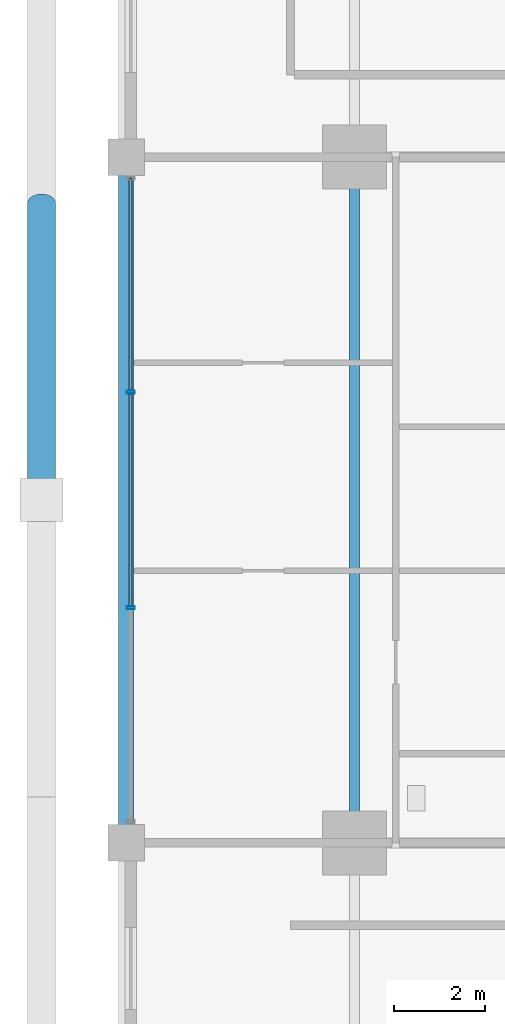
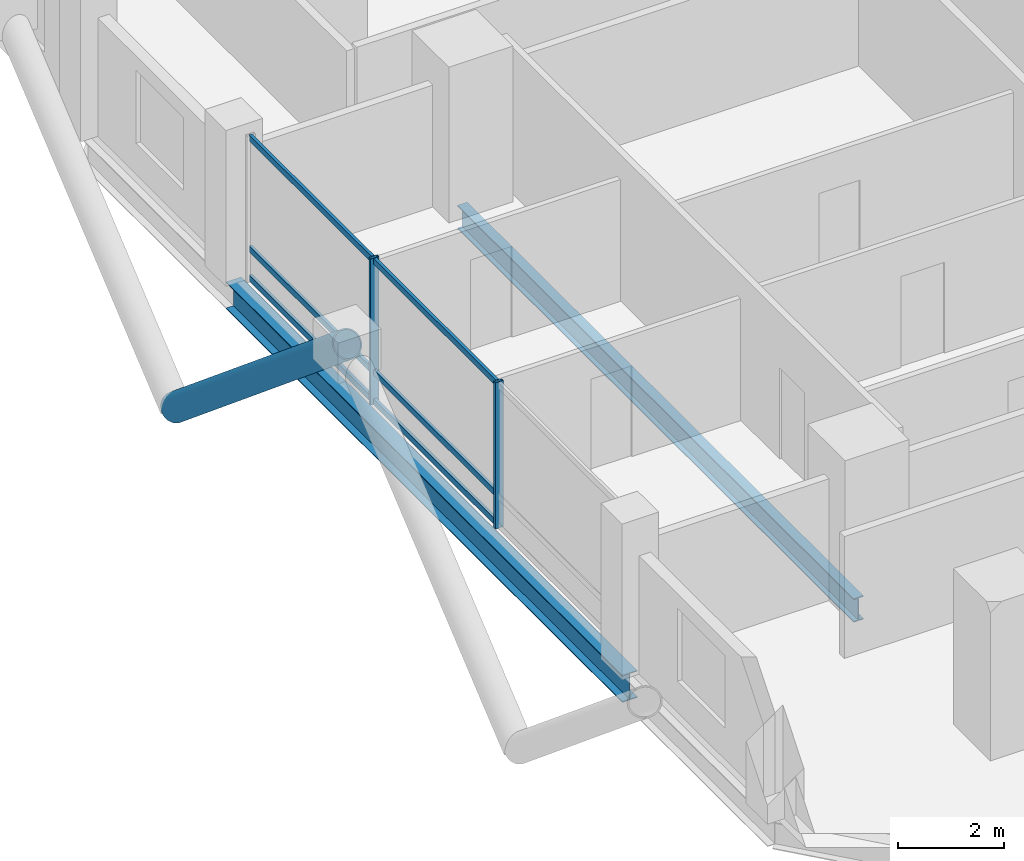
# One storey, part 6 of 23: 9 members, 2 beams, 1 element without a shape of its own.
"""IFC4 building model written with IfcOpenShell, lengths in metres."""

import ifcopenshell
import ifcopenshell.guid

model = None  # the IFC model being written
_history = None  # IfcOwnerHistory: only IFC2X3 demands one
_inside = {}  # id of a spatial element -> (the spatial element, [elements in it])
_under = {}  # id of a project, library or spatial element -> (it, [spatial elements below it])
_declared = {}  # id of a project -> (the project, [libraries it declares])
_typed = {}  # id of a type object -> (the type object, [elements of that type])
_made_of = {}  # id of a material, layer set ... -> (it, [elements and type objects made of it])


def new_model(schema):
    """Start an empty IFC model of exactly this schema.

    Asked for "IFC4X3", IfcOpenShell would pick the latest addendum, in which some entities
    have other attributes; the version numbers below select the first issue.
    IFC2X3 requires an IfcOwnerHistory on every rooted entity: one is made here for all.
    """
    global model, _history
    if schema == "IFC4X3":
        model = ifcopenshell.file(schema_version=(4, 3, 0, 0))
    else:
        model = ifcopenshell.file(schema=schema)
    _inside.clear()
    _under.clear()
    _declared.clear()
    _typed.clear()
    _made_of.clear()
    _history = None
    if model.schema == "IFC2X3":
        org = make("IfcOrganization", Name="unknown")
        user = make(
            "IfcPersonAndOrganization",
            ThePerson=make("IfcPerson", FamilyName="unknown"),
            TheOrganization=org,
        )
        app = make(
            "IfcApplication",
            ApplicationDeveloper=org,
            Version="unknown",
            ApplicationFullName="unknown",
            ApplicationIdentifier="unknown",
        )
        _history = make(
            "IfcOwnerHistory",
            OwningUser=user,
            OwningApplication=app,
            ChangeAction="ADDED",
            CreationDate=0,
        )
    return model


def make(cls, **values):
    """One entity of the class cls with the attributes given. An attribute that is None is left unset."""
    return model.create_entity(
        cls, **{name: value for name, value in values.items() if value is not None}
    )


def rooted(cls, **values):
    """An entity with a GlobalId (a new one), such as an element, a storey or a relation."""
    return make(cls, GlobalId=ifcopenshell.guid.new(), OwnerHistory=_history, **values)


def si_unit(unit_type, name, prefix=None):
    """IfcSIUnit, for example si_unit("LENGTHUNIT", "METRE", prefix="MILLI")."""
    return make("IfcSIUnit", UnitType=unit_type, Prefix=prefix, Name=name)


def assignment(units):
    """IfcUnitAssignment: the units of a project."""
    return None if units is None else make("IfcUnitAssignment", Units=units)


def point(xyz):
    """IfcCartesianPoint."""
    return None if xyz is None else make("IfcCartesianPoint", Coordinates=xyz)


def direction(xyz):
    """IfcDirection."""
    return None if xyz is None else make("IfcDirection", DirectionRatios=xyz)


def frame(location, z_axis=None, x_axis=None):
    """IfcAxis2Placement3D, a coordinate frame: its origin and axes. An axis left out is left unset."""
    return make(
        "IfcAxis2Placement3D",
        Location=point(location),
        Axis=direction(z_axis),
        RefDirection=direction(x_axis),
    )


def frame_2d(location, x_axis=None):
    """IfcAxis2Placement2D, a coordinate frame in the plane: its origin and x axis."""
    return make(
        "IfcAxis2Placement2D", Location=point(location), RefDirection=direction(x_axis)
    )


def origin():
    """The frame at (0, 0, 0) with its axes left unset."""
    return frame((0.0, 0.0, 0.0))


def origin_2d():
    """The frame at (0, 0) in the plane with its x axis left unset."""
    return frame_2d((0.0, 0.0))


def place(relative_to, where):
    """IfcLocalPlacement: puts the frame where relative to a parent placement (None: the world)."""
    return make(
        "IfcLocalPlacement", PlacementRelTo=relative_to, RelativePlacement=where
    )


def context(
    kind, dimensions, precision=None, world=None, true_north=None, identifier=None
):
    """IfcGeometricRepresentationContext, for example the 3D "Model" context."""
    return make(
        "IfcGeometricRepresentationContext",
        ContextIdentifier=identifier,
        ContextType=kind,
        CoordinateSpaceDimension=dimensions,
        Precision=precision,
        WorldCoordinateSystem=world,
        TrueNorth=true_north,
    )


def subcontext(parent, identifier, kind, view, scale=None):
    """IfcGeometricRepresentationSubContext, for example "Body" below "Model"."""
    return make(
        "IfcGeometricRepresentationSubContext",
        ContextIdentifier=identifier,
        ContextType=kind,
        ParentContext=parent,
        TargetScale=scale,
        TargetView=view,
    )


def project(units=None, contexts=None):
    """IfcProject with its units and contexts."""
    return rooted(
        "IfcProject",
        Name="project",
        RepresentationContexts=contexts,
        UnitsInContext=assignment(units),
    )


def spatial(cls, under=None, at=None, **own):
    """A site, building, storey or space (cls), placed at a placement, below another one or the project."""
    s = rooted(cls, ObjectPlacement=at, **own)
    if under is not None:
        _under.setdefault(under.id(), (under, []))[1].append(s)
    return s


def profile(cls, at=None, kind="AREA", **sizes):
    """A parametric profile (cls). Its sizes go by their IFC names, for example OverallWidth=200.0."""
    return make(cls, ProfileType=kind, Position=at, **sizes)


def hollow_rectangle(**sizes):
    """IfcRectangleHollowProfileDef."""
    return profile("IfcRectangleHollowProfileDef", **sizes)


def hollow_circle(**sizes):
    """IfcCircleHollowProfileDef."""
    return profile("IfcCircleHollowProfileDef", **sizes)


def i_section(**sizes):
    """IfcIShapeProfileDef."""
    return profile("IfcIShapeProfileDef", **sizes)


def extrude(swept, where, along, depth):
    """IfcExtrudedAreaSolid: the profile swept, set in the frame where, extruded along a direction by depth."""
    return make(
        "IfcExtrudedAreaSolid",
        SweptArea=swept,
        Position=where,
        ExtrudedDirection=direction(along),
        Depth=depth,
    )


def shape(context_of_items, identifier, shape_type, items):
    """IfcShapeRepresentation: the items that make up one representation, for example the "Body"."""
    return make(
        "IfcShapeRepresentation",
        ContextOfItems=context_of_items,
        RepresentationIdentifier=identifier,
        RepresentationType=shape_type,
        Items=items,
    )


def material(Name=None, Category=None):
    """IfcMaterial."""
    return make("IfcMaterial", Name=Name, Category=Category)


def layer(
    of_material, thickness, ventilated=None, Name=None, Category=None, Priority=None
):
    """IfcMaterialLayer: one layer of a wall or slab, of a material (None: an air gap)."""
    return make(
        "IfcMaterialLayer",
        Material=of_material,
        LayerThickness=thickness,
        IsVentilated=ventilated,
        Name=Name,
        Category=Category,
        Priority=Priority,
    )


def layer_set(layers, Name=None):
    """IfcMaterialLayerSet."""
    return make("IfcMaterialLayerSet", MaterialLayers=layers, LayerSetName=Name)


def material_profile(
    of_material, cross_section, Name=None, Category=None, Priority=None
):
    """IfcMaterialProfile: a cross section and its material."""
    return make(
        "IfcMaterialProfile",
        Name=Name,
        Material=of_material,
        Profile=cross_section,
        Priority=Priority,
        Category=Category,
    )


def profile_set(profiles, Name=None, composite=None):
    """IfcMaterialProfileSet."""
    return make(
        "IfcMaterialProfileSet",
        Name=Name,
        MaterialProfiles=profiles,
        CompositeProfile=composite,
    )


def made_of(thing, what):
    """Note that an element or type object is made of a material, layer set ...; save() writes the relation."""
    if what is not None:
        _made_of.setdefault(what.id(), (what, []))[1].append(thing)
    return thing


def type_object(cls, material=None, **own):
    """A type object (cls), such as IfcWallType, which elements share."""
    return made_of(rooted(cls, **own), material)


def element(
    cls,
    number,
    at=None,
    inside=None,
    cuts=None,
    type_object=None,
    material=None,
    context=None,
    identifier="Body",
    shape_type=None,
    held_by="IfcProductDefinitionShape",
    body=None,
    shapes=None,
    **own,
):
    """One element of the class cls, such as IfcWall. Its Tag is "e" and its number.

    at: its placement. inside: the storey or other place that contains it. cuts: it is an
    opening in that element (IfcRelVoidsElement). A single representation is given by context,
    identifier, shape_type and body (its items); several are given by shapes. held_by: the class
    of the entity that holds the representations. save() writes the other relations.
    """
    e = rooted(cls, Tag="e%d" % number, ObjectPlacement=at, **own)
    if body is not None:
        shapes = [shape(context, identifier, shape_type, body)]
    if shapes is not None:
        e.Representation = make(held_by, Representations=shapes)
    if inside is not None:
        _inside.setdefault(inside.id(), (inside, []))[1].append(e)
    if cuts is not None:
        rooted(
            "IfcRelVoidsElement", RelatingBuildingElement=cuts, RelatedOpeningElement=e
        )
    if type_object is not None:
        _typed.setdefault(type_object.id(), (type_object, []))[1].append(e)
    return made_of(e, material)


def aggregate(whole, parts):
    """IfcRelAggregates: a whole, such as a stair, and the parts it consists of."""
    return rooted("IfcRelAggregates", RelatingObject=whole, RelatedObjects=parts)


def save(model, path):
    """Write the relations noted so far, then the file.

    IfcRelAggregates (storeys below a building ...), IfcRelContainedInSpatialStructure (elements
    in a storey), IfcRelDefinesByType, IfcRelAssociatesMaterial and IfcRelDeclares: one each for
    every whole, place, type object, material and project.
    """
    for whole, parts in _under.values():
        aggregate(whole, parts)
    for where, things in _inside.values():
        rooted(
            "IfcRelContainedInSpatialStructure",
            RelatedElements=things,
            RelatingStructure=where,
        )
    for kind, things in _typed.values():
        rooted("IfcRelDefinesByType", RelatedObjects=things, RelatingType=kind)
    for what, things in _made_of.values():
        rooted("IfcRelAssociatesMaterial", RelatedObjects=things, RelatingMaterial=what)
    for by, libraries in _declared.values():
        rooted("IfcRelDeclares", RelatingContext=by, RelatedDefinitions=libraries)
    model.write(path)


model = new_model("IFC4")

# Units and contexts
model_context = context("Model", 3, precision=1e-05, world=origin(), true_north=direction((0.0, 1.0)))
body_context = subcontext(model_context, "Body", "Model", "MODEL_VIEW")
ifc_project = project(units=[si_unit("LENGTHUNIT", "METRE"), si_unit("AREAUNIT", "SQUARE_METRE"), si_unit("VOLUMEUNIT", "CUBIC_METRE"), si_unit("PLANEANGLEUNIT", "RADIAN"), si_unit("MASSUNIT", "GRAM", prefix="KILO")], contexts=[model_context])

# Site, building, storey
site_placement = place(None, origin())
site = spatial("IfcSite", under=ifc_project, at=site_placement, CompositionType="ELEMENT")
building_placement = place(site_placement, origin())
building = spatial("IfcBuilding", under=site, at=building_placement, Name="Barlavira Tower and Art Museum", CompositionType="ELEMENT")
storey_placement = place(building_placement, frame((0.0, 0.0, 57.60009765625)))
storey = spatial("IfcBuildingStorey", under=building, at=storey_placement, Name="L13", CompositionType="ELEMENT", Elevation=57.60009765625)

# Curtain wall, members
ifc_material_1 = material(Name="Low-iron coastal laminated glass", Category="glass")
ifc_layer = layer(ifc_material_1, 0.179931640625, Name="Low-iron coastal laminated glass")
ifc_layer_set = layer_set([ifc_layer], Name="Low-iron coastal laminated glass")
curtain_wall_type = type_object("IfcCurtainWallType", Name="Pale-Metal Unitised Curtain Wall Zone 1", PredefinedType="NOTDEFINED", material=ifc_layer_set)
curtain_wall_placement = place(storey_placement, origin())
curtain_wall = element("IfcCurtainWall", 1, at=curtain_wall_placement, inside=storey, type_object=curtain_wall_type, Name="L13 Curtain Wall CW1-L13-W-B3", PredefinedType="NOTDEFINED")
ifc_material_2 = material(Name="Pale anodised aluminium", Category="aluminium")
ifc_material_profile_1 = material_profile(ifc_material_2, hollow_rectangle(XDim=0.06494140625, YDim=0.179931640625, WallThickness=0.00390625, at=origin_2d()), Name="ALU-MULL 65x180x4")
ifc_profile_set_1 = profile_set([ifc_material_profile_1], Name="Pale anodised aluminium")
member_type_1 = type_object("IfcMemberType", Name="Curtain Wall Pale-Metal Mullion 65x180", PredefinedType="MULLION", material=ifc_profile_set_1)
member_1_placement = place(storey_placement, frame((-21.89990234375, 2.360107421875, 0.0), z_axis=(0.0, 0.0, 1.0), x_axis=(0.0, -1.0, 0.0)))
member_1 = element("IfcMember", 2, at=member_1_placement, type_object=member_type_1, Name="CW1-L13-W-B3 Mullion 1", PredefinedType="MULLION", context=body_context, shape_type="SweptSolid", body=[
    extrude(hollow_rectangle(XDim=0.06494140625, YDim=0.179931640625, WallThickness=0.00390625, at=origin_2d()), origin(), (0.0, 0.0, 1.0), 3.3798828125),
])
member_2_placement = place(storey_placement, frame((-21.89990234375, -2.360107421875, 0.0), z_axis=(0.0, 0.0, 1.0), x_axis=(0.0, -1.0, 0.0)))
member_2 = element("IfcMember", 3, at=member_2_placement, type_object=member_type_1, Name="CW1-L13-W-B3 Mullion 2", PredefinedType="MULLION", context=body_context, shape_type="SweptSolid", body=[
    extrude(hollow_rectangle(XDim=0.06494140625, YDim=0.179931640625, WallThickness=0.00390625, at=origin_2d()), origin(), (0.0, 0.0, 1.0), 3.3798828125),
])
ifc_material_profile_2 = material_profile(ifc_material_2, hollow_rectangle(XDim=0.06494140625, YDim=0.139892578125, WallThickness=0.00390625, at=origin_2d()), Name="ALU-TRAN 65x140x4")
ifc_profile_set_2 = profile_set([ifc_material_profile_2], Name="Pale anodised aluminium")
member_type_2 = type_object("IfcMemberType", Name="Curtain Wall Pale-Metal Transom 65x140", PredefinedType="USERDEFINED", material=ifc_profile_set_2)
member_3_placement = place(storey_placement, frame((-21.89990234375, 7.034912109375, 0.06982421875), z_axis=(0.0, -1.0, 0.0), x_axis=(1.0, 0.0, 0.0)))
member_3 = element("IfcMember", 4, at=member_3_placement, type_object=member_type_2, Name="CW1-L13-W-B3 Transom 0.1", ObjectType="TRANSOM", PredefinedType="USERDEFINED", context=body_context, shape_type="SweptSolid", body=[
    extrude(hollow_rectangle(XDim=0.06494140625, YDim=0.139892578125, WallThickness=0.00390625, at=origin_2d()), origin(), (0.0, 0.0, 1.0), 4.6298828125),
])
member_4_placement = place(storey_placement, frame((-21.89990234375, 7.034912109375, 0.743896484375), z_axis=(0.0, -1.0, 0.0), x_axis=(1.0, 0.0, 0.0)))
member_4 = element("IfcMember", 5, at=member_4_placement, type_object=member_type_2, Name="CW1-L13-W-B3 Transom 0.2", ObjectType="TRANSOM", PredefinedType="USERDEFINED", context=body_context, shape_type="SweptSolid", body=[
    extrude(hollow_rectangle(XDim=0.06494140625, YDim=0.139892578125, WallThickness=0.00390625, at=origin_2d()), origin(), (0.0, 0.0, 1.0), 4.6298828125),
])
member_5_placement = place(storey_placement, frame((-21.89990234375, 7.034912109375, 3.309814453125), z_axis=(0.0, -1.0, 0.0), x_axis=(1.0, 0.0, 0.0)))
member_5 = element("IfcMember", 6, at=member_5_placement, type_object=member_type_2, Name="CW1-L13-W-B3 Transom 0.3", ObjectType="TRANSOM", PredefinedType="USERDEFINED", context=body_context, shape_type="SweptSolid", body=[
    extrude(hollow_rectangle(XDim=0.06494140625, YDim=0.139892578125, WallThickness=0.00390625, at=origin_2d()), origin(), (0.0, 0.0, 1.0), 4.6298828125),
])
member_6_placement = place(storey_placement, frame((-21.89990234375, 2.31494140625, 0.06982421875), z_axis=(0.0, -1.0, 0.0), x_axis=(1.0, 0.0, 0.0)))
member_6 = element("IfcMember", 7, at=member_6_placement, type_object=member_type_2, Name="CW1-L13-W-B3 Transom 1.1", ObjectType="TRANSOM", PredefinedType="USERDEFINED", context=body_context, shape_type="SweptSolid", body=[
    extrude(hollow_rectangle(XDim=0.06494140625, YDim=0.139892578125, WallThickness=0.00390625, at=origin_2d()), origin(), (0.0, 0.0, 1.0), 4.6298828125),
])
member_7_placement = place(storey_placement, frame((-21.89990234375, 2.31494140625, 0.743896484375), z_axis=(0.0, -1.0, 0.0), x_axis=(1.0, 0.0, 0.0)))
member_7 = element("IfcMember", 8, at=member_7_placement, type_object=member_type_2, Name="CW1-L13-W-B3 Transom 1.2", ObjectType="TRANSOM", PredefinedType="USERDEFINED", context=body_context, shape_type="SweptSolid", body=[
    extrude(hollow_rectangle(XDim=0.06494140625, YDim=0.139892578125, WallThickness=0.00390625, at=origin_2d()), origin(), (0.0, 0.0, 1.0), 4.6298828125),
])
member_8_placement = place(storey_placement, frame((-21.89990234375, 2.31494140625, 3.309814453125), z_axis=(0.0, -1.0, 0.0), x_axis=(1.0, 0.0, 0.0)))
member_8 = element("IfcMember", 9, at=member_8_placement, type_object=member_type_2, Name="CW1-L13-W-B3 Transom 1.3", ObjectType="TRANSOM", PredefinedType="USERDEFINED", context=body_context, shape_type="SweptSolid", body=[
    extrude(hollow_rectangle(XDim=0.06494140625, YDim=0.139892578125, WallThickness=0.00390625, at=origin_2d()), origin(), (0.0, 0.0, 1.0), 4.6298828125),
])
aggregate(curtain_wall, [member_1, member_2, member_3, member_4, member_5, member_6, member_7, member_8])

# Member
ifc_material_3 = material(Name="Steel S355", Category="steel")
ifc_material_profile_3 = material_profile(ifc_material_3, hollow_circle(Radius=0.304931640625, WallThickness=0.028076171875, at=origin_2d()), Name="CHS 610.0x28.0")
ifc_profile_set_3 = profile_set([ifc_material_profile_3], Name="Steel S355")
member_type_3 = type_object("IfcMemberType", Name="Pale-Metal Exoskeleton Diagrid Tube CHS 610x28 Steel S355", PredefinedType="BRACE", material=ifc_profile_set_3)
member_9_placement = place(storey_placement, frame((-23.85009765625, 6.5, -1.920166015625), z_axis=(0.0, -0.76918185268, 0.639029950399), x_axis=(1.0, 0.0, 0.0)))
element("IfcMember", 10, at=member_9_placement, inside=storey, type_object=member_type_3, Name="L13 Exoskeleton Diagrid Tube W", PredefinedType="BRACE", context=body_context, shape_type="SweptSolid", body=[
    extrude(hollow_circle(Radius=0.304931640625, WallThickness=0.028076171875, at=origin_2d()), origin(), (0.0, 0.0, 1.0), 8.450439453125),
])

# Beams
ifc_material_profile_4 = material_profile(ifc_material_3, i_section(OverallWidth=0.327880859375, OverallDepth=0.62890625, WebThickness=0.013916015625, FlangeThickness=0.021484375, at=origin_2d()), Name="W610x174.0")
ifc_profile_set_4 = profile_set([ifc_material_profile_4], Name="Steel S355")
beam_type_1 = type_object("IfcBeamType", Name="Perimeter Spandrel Edge Beam W610x174 Steel S355", PredefinedType="SPANDREL", material=ifc_profile_set_4)
beam_1_placement = place(storey_placement, frame((-22.0, -7.5, -0.53466796875), z_axis=(0.0, 1.0, 0.0), x_axis=(-1.0, 0.0, 0.0)))
element("IfcBeam", 11, at=beam_1_placement, inside=storey, type_object=beam_type_1, Name="L13 Spandrel 14", PredefinedType="SPANDREL", context=body_context, shape_type="SweptSolid", body=[
    extrude(i_section(OverallWidth=0.327880859375, OverallDepth=0.62890625, WebThickness=0.013916015625, FlangeThickness=0.021484375, at=origin_2d()), origin(), (0.0, 0.0, 1.0), 15.0),
])
ifc_material_profile_5 = material_profile(ifc_material_3, i_section(OverallWidth=0.214111328125, OverallDepth=0.549072265625, WebThickness=0.0146484375, FlangeThickness=0.023681640625, at=origin_2d()), Name="W530x138.0")
ifc_profile_set_5 = profile_set([ifc_material_profile_5], Name="Steel S355")
beam_type_2 = type_object("IfcBeamType", Name="Zone 1 Primary Floor Girder W530x138 Steel S355", PredefinedType="BEAM", material=ifc_profile_set_5)
beam_2_placement = place(storey_placement, frame((-17.0, -7.5, -0.49462890625), z_axis=(0.0, 1.0, 0.0), x_axis=(-1.0, 0.0, 0.0)))
element("IfcBeam", 12, at=beam_2_placement, inside=storey, type_object=beam_type_2, Name="L13 Girder M-W2", PredefinedType="BEAM", context=body_context, shape_type="SweptSolid", body=[
    extrude(i_section(OverallWidth=0.214111328125, OverallDepth=0.549072265625, WebThickness=0.0146484375, FlangeThickness=0.023681640625, at=origin_2d()), origin(), (0.0, 0.0, 1.0), 15.0),
])

save(model, "model.ifc")
